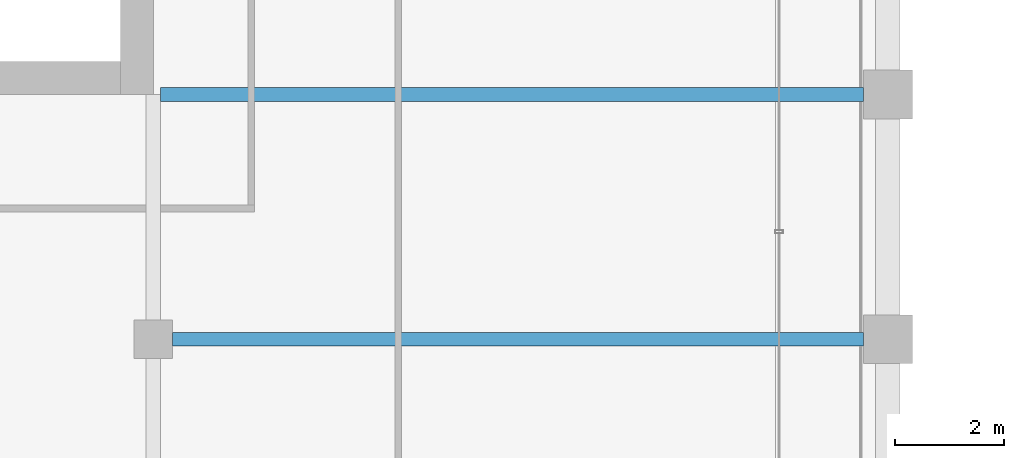
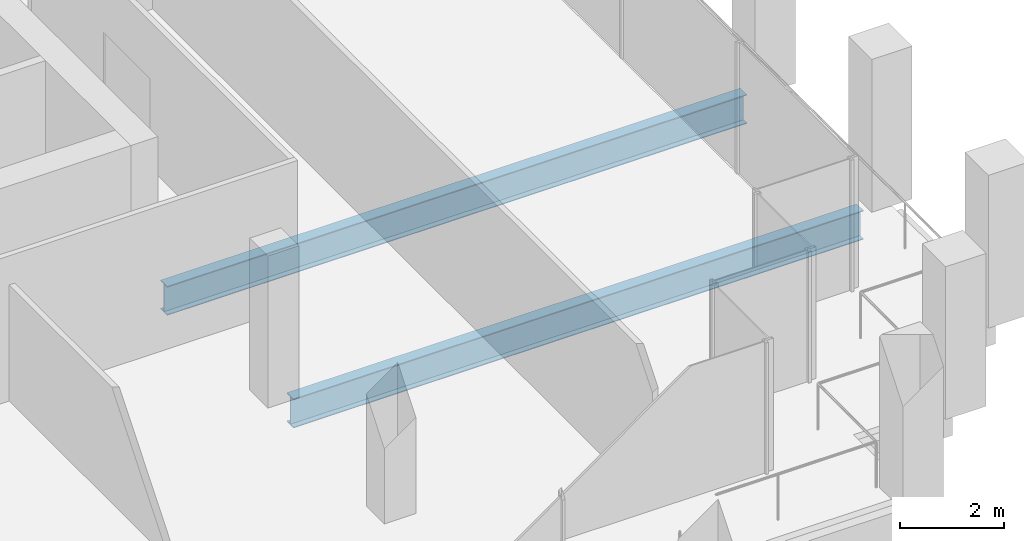
# One storey, part 14 of 40: 2 beams.
"""IFC4 building model written with IfcOpenShell, lengths in metres."""

from ifc_helpers import new_model, si_unit, direction, frame, origin, origin_2d, place, context, subcontext, project, spatial, i_section, extrude, material, material_profile, profile_set, type_object, element, save


model = new_model("IFC4")

# Units and contexts
model_context = context("Model", 3, precision=1e-05, world=origin(), true_north=direction((0.0, 1.0)))
body_context = subcontext(model_context, "Body", "Model", "MODEL_VIEW")
ifc_project = project(units=[si_unit("LENGTHUNIT", "METRE"), si_unit("AREAUNIT", "SQUARE_METRE"), si_unit("VOLUMEUNIT", "CUBIC_METRE"), si_unit("PLANEANGLEUNIT", "RADIAN"), si_unit("MASSUNIT", "GRAM", prefix="KILO")], contexts=[model_context])

# Site, building, storey
site_placement = place(None, origin())
site = spatial("IfcSite", under=ifc_project, at=site_placement, CompositionType="ELEMENT")
building_placement = place(site_placement, origin())
building = spatial("IfcBuilding", under=site, at=building_placement, Name="Altepetl Exchange Towers", CompositionType="ELEMENT")
storey_placement = place(building_placement, frame((0.0, 0.0, 161.800048828125)))
storey = spatial("IfcBuildingStorey", under=building, at=storey_placement, Name="L40", CompositionType="ELEMENT", Elevation=161.800048828125)

# Beams
ifc_material = material(Name="Steel S355", Category="steel")
ifc_material_profile = material_profile(ifc_material, i_section(OverallWidth=0.25390625, OverallDepth=0.68408203125, WebThickness=0.012451171875, FlangeThickness=0.018798828125, at=origin_2d()), Name="W27X94")
ifc_profile_set = profile_set([ifc_material_profile], Name="Steel S355")
beam_type = type_object("IfcBeamType", Name="Floor beam W27X94", PredefinedType="BEAM", material=ifc_profile_set)
beam_1_placement = place(storey_placement, frame((58.85009765625, 36.0, -0.491943359375), z_axis=(1.0, 0.0, 0.0), x_axis=(0.0, 1.0, 0.0)))
element("IfcBeam", 1, at=beam_1_placement, inside=storey, type_object=beam_type, Name="bm:A:L40:007", PredefinedType="BEAM", context=body_context, shape_type="SweptSolid", body=[
    extrude(i_section(OverallWidth=0.25390625, OverallDepth=0.68408203125, WebThickness=0.012451171875, FlangeThickness=0.018798828125, at=origin_2d()), origin(), (0.0, 0.0, 1.0), 12.699951171875),
])
beam_2_placement = place(storey_placement, frame((58.634033203125, 40.5, -0.491943359375), z_axis=(1.0, 0.0, 0.0), x_axis=(0.0, 1.0, 0.0)))
element("IfcBeam", 2, at=beam_2_placement, inside=storey, type_object=beam_type, Name="bm:A:L40:008", PredefinedType="BEAM", context=body_context, shape_type="SweptSolid", body=[
    extrude(i_section(OverallWidth=0.25390625, OverallDepth=0.68408203125, WebThickness=0.012451171875, FlangeThickness=0.018798828125, at=origin_2d()), origin(), (0.0, 0.0, 1.0), 12.916015625),
])

save(model, "model.ifc")
